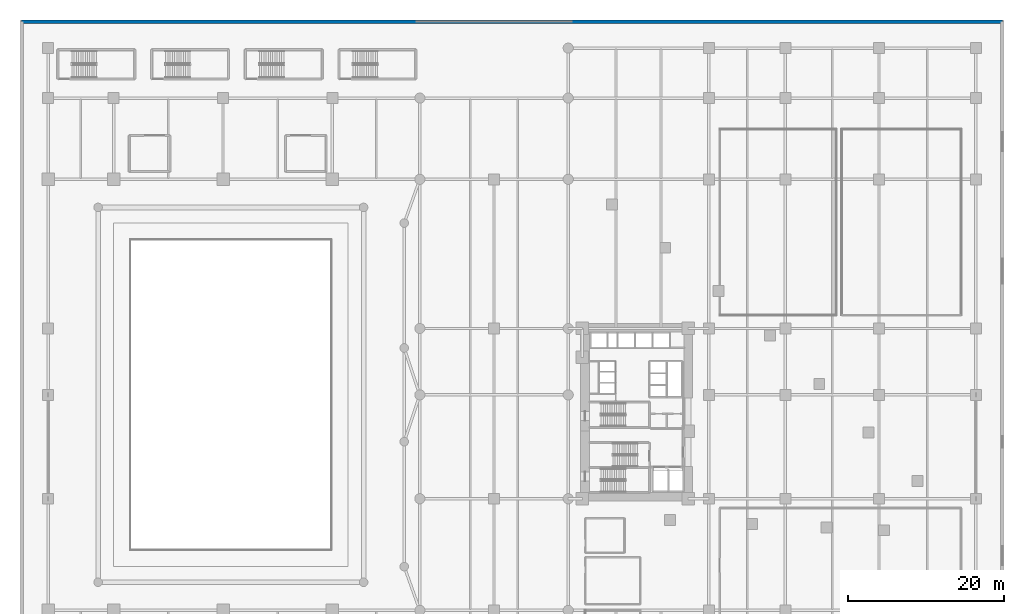
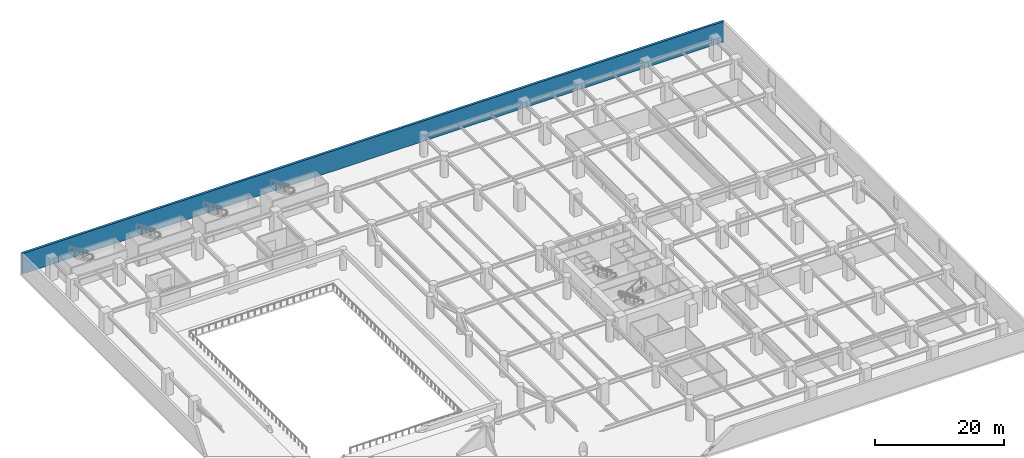
# One storey, part 13 of 25: 1 wall.
"""IFC4 building model written with IfcOpenShell, lengths in metres."""

from ifc_helpers import new_model, si_unit, direction, frame, frame_2d, origin, place, context, subcontext, project, spatial, rectangle, extrude, material, layer, layer_set, type_object, element, save


model = new_model("IFC4")

# Units and contexts
model_context = context("Model", 3, precision=1e-05, world=origin(), true_north=direction((0.0, 1.0)))
body_context = subcontext(model_context, "Body", "Model", "MODEL_VIEW")
ifc_project = project(units=[si_unit("LENGTHUNIT", "METRE"), si_unit("AREAUNIT", "SQUARE_METRE"), si_unit("VOLUMEUNIT", "CUBIC_METRE"), si_unit("PLANEANGLEUNIT", "RADIAN"), si_unit("MASSUNIT", "GRAM", prefix="KILO")], contexts=[model_context])

# Site, building, storey
site_placement = place(None, origin())
site = spatial("IfcSite", under=ifc_project, at=site_placement, CompositionType="ELEMENT")
building_placement = place(site_placement, origin())
building = spatial("IfcBuilding", under=site, at=building_placement, Name="Narakoshi Arena Tower", CompositionType="ELEMENT")
storey_placement = place(building_placement, frame((0.0, 0.0, 9.0)))
storey = spatial("IfcBuildingStorey", under=building, at=storey_placement, Name="L02", CompositionType="ELEMENT", Elevation=9.0)

# Wall
ifc_material = material(Name="Precast concrete C45/55", Category="concrete")
ifc_layer = layer(ifc_material, 0.419921875)
ifc_layer_set = layer_set([ifc_layer], Name="Precast concrete C45/55")
wall_type = type_object("IfcWallType", Name="WL-POD-420", PredefinedType="SOLIDWALL", material=ifc_layer_set)
wall_placement = place(storey_placement, frame((125.7900390625, 95.7900390625, 0.0), z_axis=(0.0, 0.0, 1.0), x_axis=(-1.0, 0.0, 0.0)))
element("IfcWall", 1, at=wall_placement, inside=storey, type_object=wall_type, Name="L02 Podium Precast Facade Wall N", PredefinedType="SOLIDWALL", context=body_context, shape_type="SweptSolid", body=[
    extrude(rectangle(XDim=125.580078125, YDim=0.419921875, at=frame_2d((62.7900390625, 0.0))), origin(), (0.0, 0.0, 1.0), 3.8798828125),
])

save(model, "model.ifc")
